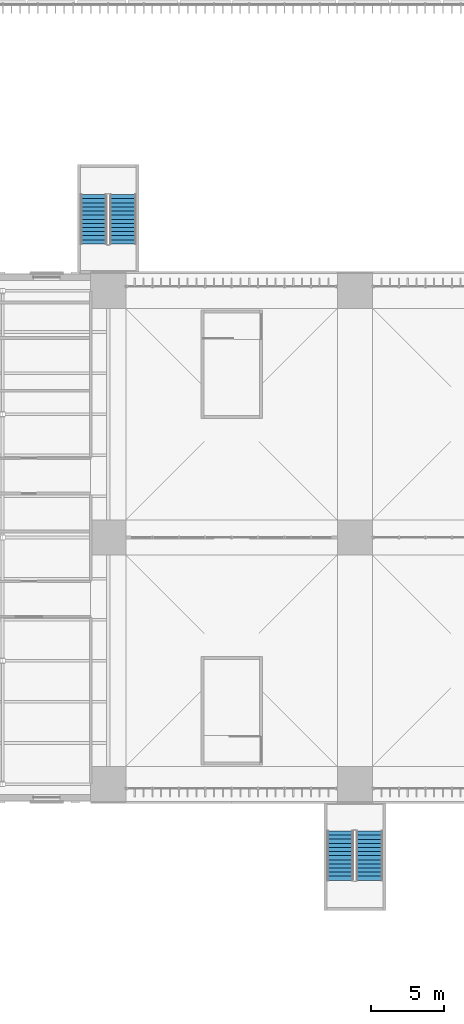
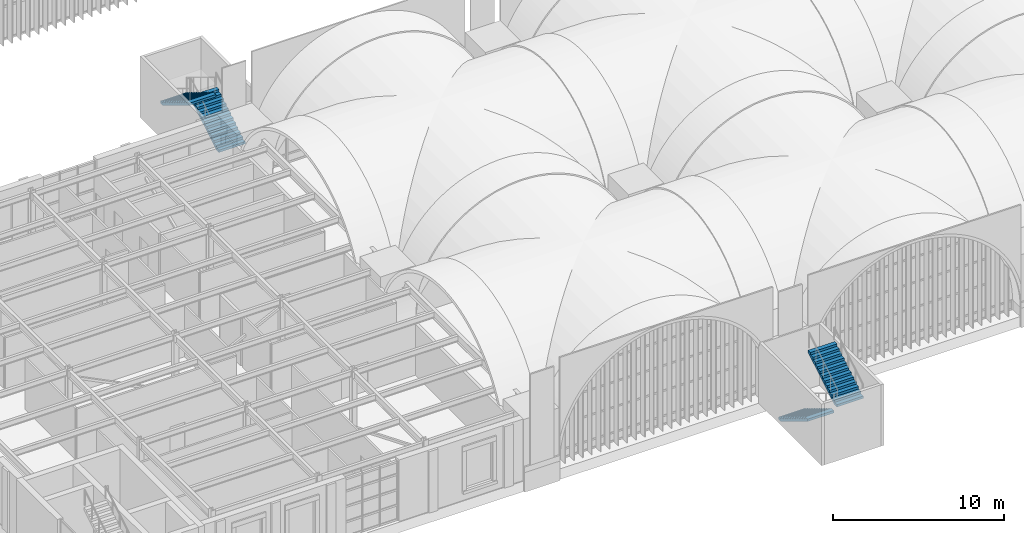
# One storey, part 107 of 169: 4 stair flights, 2 elements without a shape of their own.
"""IFC4 building model written with IfcOpenShell, lengths in metres."""

from ifc_helpers import new_model, si_unit, direction, frame, origin, place, context, subcontext, project, spatial, polygons, material, type_object, element, aggregate, save


model = new_model("IFC4")

# Units and contexts
model_context = context("Model", 3, precision=1e-05, world=origin(), true_north=direction((0.0, 1.0)))
body_context = subcontext(model_context, "Body", "Model", "MODEL_VIEW")
ifc_project = project(units=[si_unit("LENGTHUNIT", "METRE"), si_unit("AREAUNIT", "SQUARE_METRE"), si_unit("VOLUMEUNIT", "CUBIC_METRE"), si_unit("PLANEANGLEUNIT", "RADIAN"), si_unit("MASSUNIT", "GRAM", prefix="KILO")], contexts=[model_context])

# Site, building, storey
site_placement = place(None, origin())
site = spatial("IfcSite", under=ifc_project, at=site_placement, CompositionType="ELEMENT")
building_placement = place(site_placement, origin())
building = spatial("IfcBuilding", under=site, at=building_placement, Name="Verrick Yard Athletic Hall", CompositionType="ELEMENT")
storey_placement = place(building_placement, frame((0.0, 0.0, 4.39990234375)))
storey = spatial("IfcBuildingStorey", under=building, at=storey_placement, Name="L01", CompositionType="ELEMENT", Elevation=4.39990234375)

# Stair, stair flights
ifc_material = material(Name="Concrete 35 MPa", Category="concrete")
stair_type = type_object("IfcStairType", Name="Stair ST3 1800 wide 26 risers", PredefinedType="HALF_TURN_STAIR", material=ifc_material)
stair_1_placement = place(storey_placement, origin())
stair_1 = element("IfcStair", 1, at=stair_1_placement, inside=storey, type_object=stair_type, Name="North deck escape 1 stair L01", PredefinedType="HALF_TURN_STAIR")
stair_flight_type = type_object("IfcStairFlightType", Name="Stair flight SF3 1800 wide 13 risers", PredefinedType="STRAIGHT", material=ifc_material)
stair_flight_1_placement = place(storey_placement, frame((41.0, 56.0, 0.0), z_axis=(0.0, 0.0, 1.0), x_axis=(0.0, 1.0, 0.0)))
stair_flight_1 = element("IfcStairFlight", 2, at=stair_flight_1_placement, type_object=stair_flight_type, Name="ST3 flight 1", NumberOfRisers=13, NumberOfTreads=12, PredefinedType="STRAIGHT", RiserHeight=0.169230769, TreadLength=0.28, context=body_context, shape_type="Tessellation", body=[
    polygons([(0.28980123017674275, -0.89990234375, 0.0), (3.3600000000000003, -0.89990234375, 1.855614638571585), (3.3600000000000003, -0.89990234375, 2.030769228), (3.08, -0.89990234375, 2.030769228), (3.08, -0.89990234375, 1.8615384590000001), (2.8000000000000003, -0.89990234375, 1.8615384590000001), (2.8000000000000003, -0.89990234375, 1.69230769), (2.5200000000000005, -0.89990234375, 1.69230769), (2.5200000000000005, -0.89990234375, 1.523076921), (2.24, -0.89990234375, 1.523076921), (2.24, -0.89990234375, 1.353846152), (1.9600000000000002, -0.89990234375, 1.353846152), (1.9600000000000002, -0.89990234375, 1.1846153830000001), (1.6800000000000002, -0.89990234375, 1.1846153830000001), (1.6800000000000002, -0.89990234375, 1.015384614), (1.4000000000000001, -0.89990234375, 1.015384614), (1.4000000000000001, -0.89990234375, 0.846153845), (1.12, -0.89990234375, 0.846153845), (1.12, -0.89990234375, 0.676923076), (0.8400000000000001, -0.89990234375, 0.676923076), (0.8400000000000001, -0.89990234375, 0.507692307), (0.56, -0.89990234375, 0.507692307), (0.56, -0.89990234375, 0.338461538), (0.28, -0.89990234375, 0.338461538), (0.28, -0.89990234375, 0.169230769), (0.0, -0.89990234375, 0.169230769), (0.0, -0.89990234375, 0.0), (0.28980123017674275, -0.179931640625, 0.0), (3.3600000000000003, -0.179931640625, 1.855614638571585), (3.3600000000000003, -0.179931640625, 2.030769228), (3.08, -0.179931640625, 2.030769228), (3.08, -0.179931640625, 1.8615384590000001), (2.8000000000000003, -0.179931640625, 1.8615384590000001), (2.8000000000000003, -0.179931640625, 1.69230769), (2.5200000000000005, -0.179931640625, 1.69230769), (2.5200000000000005, -0.179931640625, 1.523076921), (2.24, -0.179931640625, 1.523076921), (2.24, -0.179931640625, 1.353846152), (1.9600000000000002, -0.179931640625, 1.353846152), (1.9600000000000002, -0.179931640625, 1.1846153830000001), (1.6800000000000002, -0.179931640625, 1.1846153830000001), (1.6800000000000002, -0.179931640625, 1.015384614), (1.4000000000000001, -0.179931640625, 1.015384614), (1.4000000000000001, -0.179931640625, 0.846153845), (1.12, -0.179931640625, 0.846153845), (1.12, -0.179931640625, 0.676923076), (0.8400000000000001, -0.179931640625, 0.676923076), (0.8400000000000001, -0.179931640625, 0.507692307), (0.56, -0.179931640625, 0.507692307), (0.56, -0.179931640625, 0.338461538), (0.28, -0.179931640625, 0.338461538), (0.28, -0.179931640625, 0.169230769), (0.0, -0.179931640625, 0.169230769), (0.0, -0.179931640625, 0.0), (0.28980123017674275, 0.179931640625, 0.0), (3.3600000000000003, 0.179931640625, 1.855614638571585), (3.3600000000000003, 0.179931640625, 2.030769228), (3.08, 0.179931640625, 2.030769228), (3.08, 0.179931640625, 1.8615384590000001), (2.8000000000000003, 0.179931640625, 1.8615384590000001), (2.8000000000000003, 0.179931640625, 1.69230769), (2.5200000000000005, 0.179931640625, 1.69230769), (2.5200000000000005, 0.179931640625, 1.523076921), (2.24, 0.179931640625, 1.523076921), (2.24, 0.179931640625, 1.353846152), (1.9600000000000002, 0.179931640625, 1.353846152), (1.9600000000000002, 0.179931640625, 1.1846153830000001), (1.6800000000000002, 0.179931640625, 1.1846153830000001), (1.6800000000000002, 0.179931640625, 1.015384614), (1.4000000000000001, 0.179931640625, 1.015384614), (1.4000000000000001, 0.179931640625, 0.846153845), (1.12, 0.179931640625, 0.846153845), (1.12, 0.179931640625, 0.676923076), (0.8400000000000001, 0.179931640625, 0.676923076), (0.8400000000000001, 0.179931640625, 0.507692307), (0.56, 0.179931640625, 0.507692307), (0.56, 0.179931640625, 0.338461538), (0.28, 0.179931640625, 0.338461538), (0.28, 0.179931640625, 0.169230769), (0.0, 0.179931640625, 0.169230769), (0.0, 0.179931640625, 0.0), (0.28980123017674275, 0.89990234375, 0.0), (3.3600000000000003, 0.89990234375, 1.855614638571585), (3.3600000000000003, 0.89990234375, 2.030769228), (3.08, 0.89990234375, 2.030769228), (3.08, 0.89990234375, 1.8615384590000001), (2.8000000000000003, 0.89990234375, 1.8615384590000001), (2.8000000000000003, 0.89990234375, 1.69230769), (2.5200000000000005, 0.89990234375, 1.69230769), (2.5200000000000005, 0.89990234375, 1.523076921), (2.24, 0.89990234375, 1.523076921), (2.24, 0.89990234375, 1.353846152), (1.9600000000000002, 0.89990234375, 1.353846152), (1.9600000000000002, 0.89990234375, 1.1846153830000001), (1.6800000000000002, 0.89990234375, 1.1846153830000001), (1.6800000000000002, 0.89990234375, 1.015384614), (1.4000000000000001, 0.89990234375, 1.015384614), (1.4000000000000001, 0.89990234375, 0.846153845), (1.12, 0.89990234375, 0.846153845), (1.12, 0.89990234375, 0.676923076), (0.8400000000000001, 0.89990234375, 0.676923076), (0.8400000000000001, 0.89990234375, 0.507692307), (0.56, 0.89990234375, 0.507692307), (0.56, 0.89990234375, 0.338461538), (0.28, 0.89990234375, 0.338461538), (0.28, 0.89990234375, 0.169230769), (0.0, 0.89990234375, 0.169230769), (0.0, 0.89990234375, 0.0)], [[[1, 2, 3, 4, 5, 6, 7, 8, 9, 10, 11, 12, 13, 14, 15, 16, 17, 18, 19, 20, 21, 22, 23, 24, 25, 26, 27]], [[108, 107, 106, 105, 104, 103, 102, 101, 100, 99, 98, 97, 96, 95, 94, 93, 92, 91, 90, 89, 88, 87, 86, 85, 84, 83, 82]], [[1, 28, 29, 2]], [[2, 29, 30, 3]], [[3, 30, 31, 4]], [[4, 31, 32, 5]], [[5, 32, 33, 6]], [[6, 33, 34, 7]], [[7, 34, 35, 8]], [[8, 35, 36, 9]], [[9, 36, 37, 10]], [[10, 37, 38, 11]], [[11, 38, 39, 12]], [[12, 39, 40, 13]], [[13, 40, 41, 14]], [[14, 41, 42, 15]], [[15, 42, 43, 16]], [[16, 43, 44, 17]], [[17, 44, 45, 18]], [[18, 45, 46, 19]], [[19, 46, 47, 20]], [[20, 47, 48, 21]], [[21, 48, 49, 22]], [[22, 49, 50, 23]], [[23, 50, 51, 24]], [[24, 51, 52, 25]], [[25, 52, 53, 26]], [[26, 53, 54, 27]], [[27, 54, 28, 1]], [[28, 55, 56, 29]], [[29, 56, 57, 30]], [[30, 57, 58, 31]], [[31, 58, 59, 32]], [[32, 59, 60, 33]], [[33, 60, 61, 34]], [[34, 61, 62, 35]], [[35, 62, 63, 36]], [[36, 63, 64, 37]], [[37, 64, 65, 38]], [[38, 65, 66, 39]], [[39, 66, 67, 40]], [[40, 67, 68, 41]], [[41, 68, 69, 42]], [[42, 69, 70, 43]], [[43, 70, 71, 44]], [[44, 71, 72, 45]], [[45, 72, 73, 46]], [[46, 73, 74, 47]], [[47, 74, 75, 48]], [[48, 75, 76, 49]], [[49, 76, 77, 50]], [[50, 77, 78, 51]], [[51, 78, 79, 52]], [[52, 79, 80, 53]], [[53, 80, 81, 54]], [[54, 81, 55, 28]], [[55, 82, 83, 56]], [[56, 83, 84, 57]], [[57, 84, 85, 58]], [[58, 85, 86, 59]], [[59, 86, 87, 60]], [[60, 87, 88, 61]], [[61, 88, 89, 62]], [[62, 89, 90, 63]], [[63, 90, 91, 64]], [[64, 91, 92, 65]], [[65, 92, 93, 66]], [[66, 93, 94, 67]], [[67, 94, 95, 68]], [[68, 95, 96, 69]], [[69, 96, 97, 70]], [[70, 97, 98, 71]], [[71, 98, 99, 72]], [[72, 99, 100, 73]], [[73, 100, 101, 74]], [[74, 101, 102, 75]], [[75, 102, 103, 76]], [[76, 103, 104, 77]], [[77, 104, 105, 78]], [[78, 105, 106, 79]], [[79, 106, 107, 80]], [[80, 107, 108, 81]], [[81, 108, 82, 55]]], closed=True),
])
stair_flight_2_placement = place(storey_placement, frame((39.0, 59.360107421875, 2.2001953125), z_axis=(0.0, 0.0, 1.0), x_axis=(0.0, -1.0, 0.0)))
stair_flight_2 = element("IfcStairFlight", 3, at=stair_flight_2_placement, type_object=stair_flight_type, Name="ST3 flight 2", NumberOfRisers=13, NumberOfTreads=12, PredefinedType="STRAIGHT", RiserHeight=0.169230769, TreadLength=0.28, context=body_context, shape_type="Tessellation", body=[
    polygons([(0.28980123017674275, -0.89990234375, 0.0), (3.3600000000000003, -0.89990234375, 1.855614638571585), (3.3600000000000003, -0.89990234375, 2.030769228), (3.08, -0.89990234375, 2.030769228), (3.08, -0.89990234375, 1.8615384590000001), (2.8000000000000003, -0.89990234375, 1.8615384590000001), (2.8000000000000003, -0.89990234375, 1.69230769), (2.5200000000000005, -0.89990234375, 1.69230769), (2.5200000000000005, -0.89990234375, 1.523076921), (2.24, -0.89990234375, 1.523076921), (2.24, -0.89990234375, 1.353846152), (1.9600000000000002, -0.89990234375, 1.353846152), (1.9600000000000002, -0.89990234375, 1.1846153830000001), (1.6800000000000002, -0.89990234375, 1.1846153830000001), (1.6800000000000002, -0.89990234375, 1.015384614), (1.4000000000000001, -0.89990234375, 1.015384614), (1.4000000000000001, -0.89990234375, 0.846153845), (1.12, -0.89990234375, 0.846153845), (1.12, -0.89990234375, 0.676923076), (0.8400000000000001, -0.89990234375, 0.676923076), (0.8400000000000001, -0.89990234375, 0.507692307), (0.56, -0.89990234375, 0.507692307), (0.56, -0.89990234375, 0.338461538), (0.28, -0.89990234375, 0.338461538), (0.28, -0.89990234375, 0.169230769), (0.0, -0.89990234375, 0.169230769), (0.0, -0.89990234375, 0.0), (0.28980123017674275, -0.179931640625, 0.0), (3.3600000000000003, -0.179931640625, 1.855614638571585), (3.3600000000000003, -0.179931640625, 2.030769228), (3.08, -0.179931640625, 2.030769228), (3.08, -0.179931640625, 1.8615384590000001), (2.8000000000000003, -0.179931640625, 1.8615384590000001), (2.8000000000000003, -0.179931640625, 1.69230769), (2.5200000000000005, -0.179931640625, 1.69230769), (2.5200000000000005, -0.179931640625, 1.523076921), (2.24, -0.179931640625, 1.523076921), (2.24, -0.179931640625, 1.353846152), (1.9600000000000002, -0.179931640625, 1.353846152), (1.9600000000000002, -0.179931640625, 1.1846153830000001), (1.6800000000000002, -0.179931640625, 1.1846153830000001), (1.6800000000000002, -0.179931640625, 1.015384614), (1.4000000000000001, -0.179931640625, 1.015384614), (1.4000000000000001, -0.179931640625, 0.846153845), (1.12, -0.179931640625, 0.846153845), (1.12, -0.179931640625, 0.676923076), (0.8400000000000001, -0.179931640625, 0.676923076), (0.8400000000000001, -0.179931640625, 0.507692307), (0.56, -0.179931640625, 0.507692307), (0.56, -0.179931640625, 0.338461538), (0.28, -0.179931640625, 0.338461538), (0.28, -0.179931640625, 0.169230769), (0.0, -0.179931640625, 0.169230769), (0.0, -0.179931640625, 0.0), (0.28980123017674275, 0.179931640625, 0.0), (3.3600000000000003, 0.179931640625, 1.855614638571585), (3.3600000000000003, 0.179931640625, 2.030769228), (3.08, 0.179931640625, 2.030769228), (3.08, 0.179931640625, 1.8615384590000001), (2.8000000000000003, 0.179931640625, 1.8615384590000001), (2.8000000000000003, 0.179931640625, 1.69230769), (2.5200000000000005, 0.179931640625, 1.69230769), (2.5200000000000005, 0.179931640625, 1.523076921), (2.24, 0.179931640625, 1.523076921), (2.24, 0.179931640625, 1.353846152), (1.9600000000000002, 0.179931640625, 1.353846152), (1.9600000000000002, 0.179931640625, 1.1846153830000001), (1.6800000000000002, 0.179931640625, 1.1846153830000001), (1.6800000000000002, 0.179931640625, 1.015384614), (1.4000000000000001, 0.179931640625, 1.015384614), (1.4000000000000001, 0.179931640625, 0.846153845), (1.12, 0.179931640625, 0.846153845), (1.12, 0.179931640625, 0.676923076), (0.8400000000000001, 0.179931640625, 0.676923076), (0.8400000000000001, 0.179931640625, 0.507692307), (0.56, 0.179931640625, 0.507692307), (0.56, 0.179931640625, 0.338461538), (0.28, 0.179931640625, 0.338461538), (0.28, 0.179931640625, 0.169230769), (0.0, 0.179931640625, 0.169230769), (0.0, 0.179931640625, 0.0), (0.28980123017674275, 0.89990234375, 0.0), (3.3600000000000003, 0.89990234375, 1.855614638571585), (3.3600000000000003, 0.89990234375, 2.030769228), (3.08, 0.89990234375, 2.030769228), (3.08, 0.89990234375, 1.8615384590000001), (2.8000000000000003, 0.89990234375, 1.8615384590000001), (2.8000000000000003, 0.89990234375, 1.69230769), (2.5200000000000005, 0.89990234375, 1.69230769), (2.5200000000000005, 0.89990234375, 1.523076921), (2.24, 0.89990234375, 1.523076921), (2.24, 0.89990234375, 1.353846152), (1.9600000000000002, 0.89990234375, 1.353846152), (1.9600000000000002, 0.89990234375, 1.1846153830000001), (1.6800000000000002, 0.89990234375, 1.1846153830000001), (1.6800000000000002, 0.89990234375, 1.015384614), (1.4000000000000001, 0.89990234375, 1.015384614), (1.4000000000000001, 0.89990234375, 0.846153845), (1.12, 0.89990234375, 0.846153845), (1.12, 0.89990234375, 0.676923076), (0.8400000000000001, 0.89990234375, 0.676923076), (0.8400000000000001, 0.89990234375, 0.507692307), (0.56, 0.89990234375, 0.507692307), (0.56, 0.89990234375, 0.338461538), (0.28, 0.89990234375, 0.338461538), (0.28, 0.89990234375, 0.169230769), (0.0, 0.89990234375, 0.169230769), (0.0, 0.89990234375, 0.0)], [[[1, 2, 3, 4, 5, 6, 7, 8, 9, 10, 11, 12, 13, 14, 15, 16, 17, 18, 19, 20, 21, 22, 23, 24, 25, 26, 27]], [[108, 107, 106, 105, 104, 103, 102, 101, 100, 99, 98, 97, 96, 95, 94, 93, 92, 91, 90, 89, 88, 87, 86, 85, 84, 83, 82]], [[1, 28, 29, 2]], [[2, 29, 30, 3]], [[3, 30, 31, 4]], [[4, 31, 32, 5]], [[5, 32, 33, 6]], [[6, 33, 34, 7]], [[7, 34, 35, 8]], [[8, 35, 36, 9]], [[9, 36, 37, 10]], [[10, 37, 38, 11]], [[11, 38, 39, 12]], [[12, 39, 40, 13]], [[13, 40, 41, 14]], [[14, 41, 42, 15]], [[15, 42, 43, 16]], [[16, 43, 44, 17]], [[17, 44, 45, 18]], [[18, 45, 46, 19]], [[19, 46, 47, 20]], [[20, 47, 48, 21]], [[21, 48, 49, 22]], [[22, 49, 50, 23]], [[23, 50, 51, 24]], [[24, 51, 52, 25]], [[25, 52, 53, 26]], [[26, 53, 54, 27]], [[27, 54, 28, 1]], [[28, 55, 56, 29]], [[29, 56, 57, 30]], [[30, 57, 58, 31]], [[31, 58, 59, 32]], [[32, 59, 60, 33]], [[33, 60, 61, 34]], [[34, 61, 62, 35]], [[35, 62, 63, 36]], [[36, 63, 64, 37]], [[37, 64, 65, 38]], [[38, 65, 66, 39]], [[39, 66, 67, 40]], [[40, 67, 68, 41]], [[41, 68, 69, 42]], [[42, 69, 70, 43]], [[43, 70, 71, 44]], [[44, 71, 72, 45]], [[45, 72, 73, 46]], [[46, 73, 74, 47]], [[47, 74, 75, 48]], [[48, 75, 76, 49]], [[49, 76, 77, 50]], [[50, 77, 78, 51]], [[51, 78, 79, 52]], [[52, 79, 80, 53]], [[53, 80, 81, 54]], [[54, 81, 55, 28]], [[55, 82, 83, 56]], [[56, 83, 84, 57]], [[57, 84, 85, 58]], [[58, 85, 86, 59]], [[59, 86, 87, 60]], [[60, 87, 88, 61]], [[61, 88, 89, 62]], [[62, 89, 90, 63]], [[63, 90, 91, 64]], [[64, 91, 92, 65]], [[65, 92, 93, 66]], [[66, 93, 94, 67]], [[67, 94, 95, 68]], [[68, 95, 96, 69]], [[69, 96, 97, 70]], [[70, 97, 98, 71]], [[71, 98, 99, 72]], [[72, 99, 100, 73]], [[73, 100, 101, 74]], [[74, 101, 102, 75]], [[75, 102, 103, 76]], [[76, 103, 104, 77]], [[77, 104, 105, 78]], [[78, 105, 106, 79]], [[79, 106, 107, 80]], [[80, 107, 108, 81]], [[81, 108, 82, 55]]], closed=True),
])
aggregate(stair_1, [stair_flight_1, stair_flight_2])

stair_2_placement = place(storey_placement, origin())
stair_2 = element("IfcStair", 4, at=stair_2_placement, inside=storey, type_object=stair_type, Name="South deck escape 1 stair L01", PredefinedType="HALF_TURN_STAIR")
stair_flight_3_placement = place(storey_placement, frame((55.800048828125, 16.0, 0.0), z_axis=(0.0, 0.0, 1.0), x_axis=(0.0, -1.0, 0.0)))
stair_flight_3 = element("IfcStairFlight", 5, at=stair_flight_3_placement, type_object=stair_flight_type, Name="ST3 flight 1", NumberOfRisers=13, NumberOfTreads=12, PredefinedType="STRAIGHT", RiserHeight=0.169230769, TreadLength=0.28, context=body_context, shape_type="Tessellation", body=[
    polygons([(0.28980123017674275, -0.89990234375, 0.0), (3.3600000000000003, -0.89990234375, 1.855614638571585), (3.3600000000000003, -0.89990234375, 2.030769228), (3.08, -0.89990234375, 2.030769228), (3.08, -0.89990234375, 1.8615384590000001), (2.8000000000000003, -0.89990234375, 1.8615384590000001), (2.8000000000000003, -0.89990234375, 1.69230769), (2.5200000000000005, -0.89990234375, 1.69230769), (2.5200000000000005, -0.89990234375, 1.523076921), (2.24, -0.89990234375, 1.523076921), (2.24, -0.89990234375, 1.353846152), (1.9600000000000002, -0.89990234375, 1.353846152), (1.9600000000000002, -0.89990234375, 1.1846153830000001), (1.6800000000000002, -0.89990234375, 1.1846153830000001), (1.6800000000000002, -0.89990234375, 1.015384614), (1.4000000000000001, -0.89990234375, 1.015384614), (1.4000000000000001, -0.89990234375, 0.846153845), (1.12, -0.89990234375, 0.846153845), (1.12, -0.89990234375, 0.676923076), (0.8400000000000001, -0.89990234375, 0.676923076), (0.8400000000000001, -0.89990234375, 0.507692307), (0.56, -0.89990234375, 0.507692307), (0.56, -0.89990234375, 0.338461538), (0.28, -0.89990234375, 0.338461538), (0.28, -0.89990234375, 0.169230769), (0.0, -0.89990234375, 0.169230769), (0.0, -0.89990234375, 0.0), (0.28980123017674275, -0.179931640625, 0.0), (3.3600000000000003, -0.179931640625, 1.855614638571585), (3.3600000000000003, -0.179931640625, 2.030769228), (3.08, -0.179931640625, 2.030769228), (3.08, -0.179931640625, 1.8615384590000001), (2.8000000000000003, -0.179931640625, 1.8615384590000001), (2.8000000000000003, -0.179931640625, 1.69230769), (2.5200000000000005, -0.179931640625, 1.69230769), (2.5200000000000005, -0.179931640625, 1.523076921), (2.24, -0.179931640625, 1.523076921), (2.24, -0.179931640625, 1.353846152), (1.9600000000000002, -0.179931640625, 1.353846152), (1.9600000000000002, -0.179931640625, 1.1846153830000001), (1.6800000000000002, -0.179931640625, 1.1846153830000001), (1.6800000000000002, -0.179931640625, 1.015384614), (1.4000000000000001, -0.179931640625, 1.015384614), (1.4000000000000001, -0.179931640625, 0.846153845), (1.12, -0.179931640625, 0.846153845), (1.12, -0.179931640625, 0.676923076), (0.8400000000000001, -0.179931640625, 0.676923076), (0.8400000000000001, -0.179931640625, 0.507692307), (0.56, -0.179931640625, 0.507692307), (0.56, -0.179931640625, 0.338461538), (0.28, -0.179931640625, 0.338461538), (0.28, -0.179931640625, 0.169230769), (0.0, -0.179931640625, 0.169230769), (0.0, -0.179931640625, 0.0), (0.28980123017674275, 0.179931640625, 0.0), (3.3600000000000003, 0.179931640625, 1.855614638571585), (3.3600000000000003, 0.179931640625, 2.030769228), (3.08, 0.179931640625, 2.030769228), (3.08, 0.179931640625, 1.8615384590000001), (2.8000000000000003, 0.179931640625, 1.8615384590000001), (2.8000000000000003, 0.179931640625, 1.69230769), (2.5200000000000005, 0.179931640625, 1.69230769), (2.5200000000000005, 0.179931640625, 1.523076921), (2.24, 0.179931640625, 1.523076921), (2.24, 0.179931640625, 1.353846152), (1.9600000000000002, 0.179931640625, 1.353846152), (1.9600000000000002, 0.179931640625, 1.1846153830000001), (1.6800000000000002, 0.179931640625, 1.1846153830000001), (1.6800000000000002, 0.179931640625, 1.015384614), (1.4000000000000001, 0.179931640625, 1.015384614), (1.4000000000000001, 0.179931640625, 0.846153845), (1.12, 0.179931640625, 0.846153845), (1.12, 0.179931640625, 0.676923076), (0.8400000000000001, 0.179931640625, 0.676923076), (0.8400000000000001, 0.179931640625, 0.507692307), (0.56, 0.179931640625, 0.507692307), (0.56, 0.179931640625, 0.338461538), (0.28, 0.179931640625, 0.338461538), (0.28, 0.179931640625, 0.169230769), (0.0, 0.179931640625, 0.169230769), (0.0, 0.179931640625, 0.0), (0.28980123017674275, 0.89990234375, 0.0), (3.3600000000000003, 0.89990234375, 1.855614638571585), (3.3600000000000003, 0.89990234375, 2.030769228), (3.08, 0.89990234375, 2.030769228), (3.08, 0.89990234375, 1.8615384590000001), (2.8000000000000003, 0.89990234375, 1.8615384590000001), (2.8000000000000003, 0.89990234375, 1.69230769), (2.5200000000000005, 0.89990234375, 1.69230769), (2.5200000000000005, 0.89990234375, 1.523076921), (2.24, 0.89990234375, 1.523076921), (2.24, 0.89990234375, 1.353846152), (1.9600000000000002, 0.89990234375, 1.353846152), (1.9600000000000002, 0.89990234375, 1.1846153830000001), (1.6800000000000002, 0.89990234375, 1.1846153830000001), (1.6800000000000002, 0.89990234375, 1.015384614), (1.4000000000000001, 0.89990234375, 1.015384614), (1.4000000000000001, 0.89990234375, 0.846153845), (1.12, 0.89990234375, 0.846153845), (1.12, 0.89990234375, 0.676923076), (0.8400000000000001, 0.89990234375, 0.676923076), (0.8400000000000001, 0.89990234375, 0.507692307), (0.56, 0.89990234375, 0.507692307), (0.56, 0.89990234375, 0.338461538), (0.28, 0.89990234375, 0.338461538), (0.28, 0.89990234375, 0.169230769), (0.0, 0.89990234375, 0.169230769), (0.0, 0.89990234375, 0.0)], [[[1, 2, 3, 4, 5, 6, 7, 8, 9, 10, 11, 12, 13, 14, 15, 16, 17, 18, 19, 20, 21, 22, 23, 24, 25, 26, 27]], [[108, 107, 106, 105, 104, 103, 102, 101, 100, 99, 98, 97, 96, 95, 94, 93, 92, 91, 90, 89, 88, 87, 86, 85, 84, 83, 82]], [[1, 28, 29, 2]], [[2, 29, 30, 3]], [[3, 30, 31, 4]], [[4, 31, 32, 5]], [[5, 32, 33, 6]], [[6, 33, 34, 7]], [[7, 34, 35, 8]], [[8, 35, 36, 9]], [[9, 36, 37, 10]], [[10, 37, 38, 11]], [[11, 38, 39, 12]], [[12, 39, 40, 13]], [[13, 40, 41, 14]], [[14, 41, 42, 15]], [[15, 42, 43, 16]], [[16, 43, 44, 17]], [[17, 44, 45, 18]], [[18, 45, 46, 19]], [[19, 46, 47, 20]], [[20, 47, 48, 21]], [[21, 48, 49, 22]], [[22, 49, 50, 23]], [[23, 50, 51, 24]], [[24, 51, 52, 25]], [[25, 52, 53, 26]], [[26, 53, 54, 27]], [[27, 54, 28, 1]], [[28, 55, 56, 29]], [[29, 56, 57, 30]], [[30, 57, 58, 31]], [[31, 58, 59, 32]], [[32, 59, 60, 33]], [[33, 60, 61, 34]], [[34, 61, 62, 35]], [[35, 62, 63, 36]], [[36, 63, 64, 37]], [[37, 64, 65, 38]], [[38, 65, 66, 39]], [[39, 66, 67, 40]], [[40, 67, 68, 41]], [[41, 68, 69, 42]], [[42, 69, 70, 43]], [[43, 70, 71, 44]], [[44, 71, 72, 45]], [[45, 72, 73, 46]], [[46, 73, 74, 47]], [[47, 74, 75, 48]], [[48, 75, 76, 49]], [[49, 76, 77, 50]], [[50, 77, 78, 51]], [[51, 78, 79, 52]], [[52, 79, 80, 53]], [[53, 80, 81, 54]], [[54, 81, 55, 28]], [[55, 82, 83, 56]], [[56, 83, 84, 57]], [[57, 84, 85, 58]], [[58, 85, 86, 59]], [[59, 86, 87, 60]], [[60, 87, 88, 61]], [[61, 88, 89, 62]], [[62, 89, 90, 63]], [[63, 90, 91, 64]], [[64, 91, 92, 65]], [[65, 92, 93, 66]], [[66, 93, 94, 67]], [[67, 94, 95, 68]], [[68, 95, 96, 69]], [[69, 96, 97, 70]], [[70, 97, 98, 71]], [[71, 98, 99, 72]], [[72, 99, 100, 73]], [[73, 100, 101, 74]], [[74, 101, 102, 75]], [[75, 102, 103, 76]], [[76, 103, 104, 77]], [[77, 104, 105, 78]], [[78, 105, 106, 79]], [[79, 106, 107, 80]], [[80, 107, 108, 81]], [[81, 108, 82, 55]]], closed=True),
])
stair_flight_4_placement = place(storey_placement, frame((57.800048828125, 12.639892578125, 2.2001953125), z_axis=(0.0, 0.0, 1.0), x_axis=(0.0, 1.0, 0.0)))
stair_flight_4 = element("IfcStairFlight", 6, at=stair_flight_4_placement, type_object=stair_flight_type, Name="ST3 flight 2", NumberOfRisers=13, NumberOfTreads=12, PredefinedType="STRAIGHT", RiserHeight=0.169230769, TreadLength=0.28, context=body_context, shape_type="Tessellation", body=[
    polygons([(0.28980123017674275, -0.89990234375, 0.0), (3.3600000000000003, -0.89990234375, 1.855614638571585), (3.3600000000000003, -0.89990234375, 2.030769228), (3.08, -0.89990234375, 2.030769228), (3.08, -0.89990234375, 1.8615384590000001), (2.8000000000000003, -0.89990234375, 1.8615384590000001), (2.8000000000000003, -0.89990234375, 1.69230769), (2.5200000000000005, -0.89990234375, 1.69230769), (2.5200000000000005, -0.89990234375, 1.523076921), (2.24, -0.89990234375, 1.523076921), (2.24, -0.89990234375, 1.353846152), (1.9600000000000002, -0.89990234375, 1.353846152), (1.9600000000000002, -0.89990234375, 1.1846153830000001), (1.6800000000000002, -0.89990234375, 1.1846153830000001), (1.6800000000000002, -0.89990234375, 1.015384614), (1.4000000000000001, -0.89990234375, 1.015384614), (1.4000000000000001, -0.89990234375, 0.846153845), (1.12, -0.89990234375, 0.846153845), (1.12, -0.89990234375, 0.676923076), (0.8400000000000001, -0.89990234375, 0.676923076), (0.8400000000000001, -0.89990234375, 0.507692307), (0.56, -0.89990234375, 0.507692307), (0.56, -0.89990234375, 0.338461538), (0.28, -0.89990234375, 0.338461538), (0.28, -0.89990234375, 0.169230769), (0.0, -0.89990234375, 0.169230769), (0.0, -0.89990234375, 0.0), (0.28980123017674275, -0.179931640625, 0.0), (3.3600000000000003, -0.179931640625, 1.855614638571585), (3.3600000000000003, -0.179931640625, 2.030769228), (3.08, -0.179931640625, 2.030769228), (3.08, -0.179931640625, 1.8615384590000001), (2.8000000000000003, -0.179931640625, 1.8615384590000001), (2.8000000000000003, -0.179931640625, 1.69230769), (2.5200000000000005, -0.179931640625, 1.69230769), (2.5200000000000005, -0.179931640625, 1.523076921), (2.24, -0.179931640625, 1.523076921), (2.24, -0.179931640625, 1.353846152), (1.9600000000000002, -0.179931640625, 1.353846152), (1.9600000000000002, -0.179931640625, 1.1846153830000001), (1.6800000000000002, -0.179931640625, 1.1846153830000001), (1.6800000000000002, -0.179931640625, 1.015384614), (1.4000000000000001, -0.179931640625, 1.015384614), (1.4000000000000001, -0.179931640625, 0.846153845), (1.12, -0.179931640625, 0.846153845), (1.12, -0.179931640625, 0.676923076), (0.8400000000000001, -0.179931640625, 0.676923076), (0.8400000000000001, -0.179931640625, 0.507692307), (0.56, -0.179931640625, 0.507692307), (0.56, -0.179931640625, 0.338461538), (0.28, -0.179931640625, 0.338461538), (0.28, -0.179931640625, 0.169230769), (0.0, -0.179931640625, 0.169230769), (0.0, -0.179931640625, 0.0), (0.28980123017674275, 0.179931640625, 0.0), (3.3600000000000003, 0.179931640625, 1.855614638571585), (3.3600000000000003, 0.179931640625, 2.030769228), (3.08, 0.179931640625, 2.030769228), (3.08, 0.179931640625, 1.8615384590000001), (2.8000000000000003, 0.179931640625, 1.8615384590000001), (2.8000000000000003, 0.179931640625, 1.69230769), (2.5200000000000005, 0.179931640625, 1.69230769), (2.5200000000000005, 0.179931640625, 1.523076921), (2.24, 0.179931640625, 1.523076921), (2.24, 0.179931640625, 1.353846152), (1.9600000000000002, 0.179931640625, 1.353846152), (1.9600000000000002, 0.179931640625, 1.1846153830000001), (1.6800000000000002, 0.179931640625, 1.1846153830000001), (1.6800000000000002, 0.179931640625, 1.015384614), (1.4000000000000001, 0.179931640625, 1.015384614), (1.4000000000000001, 0.179931640625, 0.846153845), (1.12, 0.179931640625, 0.846153845), (1.12, 0.179931640625, 0.676923076), (0.8400000000000001, 0.179931640625, 0.676923076), (0.8400000000000001, 0.179931640625, 0.507692307), (0.56, 0.179931640625, 0.507692307), (0.56, 0.179931640625, 0.338461538), (0.28, 0.179931640625, 0.338461538), (0.28, 0.179931640625, 0.169230769), (0.0, 0.179931640625, 0.169230769), (0.0, 0.179931640625, 0.0), (0.28980123017674275, 0.89990234375, 0.0), (3.3600000000000003, 0.89990234375, 1.855614638571585), (3.3600000000000003, 0.89990234375, 2.030769228), (3.08, 0.89990234375, 2.030769228), (3.08, 0.89990234375, 1.8615384590000001), (2.8000000000000003, 0.89990234375, 1.8615384590000001), (2.8000000000000003, 0.89990234375, 1.69230769), (2.5200000000000005, 0.89990234375, 1.69230769), (2.5200000000000005, 0.89990234375, 1.523076921), (2.24, 0.89990234375, 1.523076921), (2.24, 0.89990234375, 1.353846152), (1.9600000000000002, 0.89990234375, 1.353846152), (1.9600000000000002, 0.89990234375, 1.1846153830000001), (1.6800000000000002, 0.89990234375, 1.1846153830000001), (1.6800000000000002, 0.89990234375, 1.015384614), (1.4000000000000001, 0.89990234375, 1.015384614), (1.4000000000000001, 0.89990234375, 0.846153845), (1.12, 0.89990234375, 0.846153845), (1.12, 0.89990234375, 0.676923076), (0.8400000000000001, 0.89990234375, 0.676923076), (0.8400000000000001, 0.89990234375, 0.507692307), (0.56, 0.89990234375, 0.507692307), (0.56, 0.89990234375, 0.338461538), (0.28, 0.89990234375, 0.338461538), (0.28, 0.89990234375, 0.169230769), (0.0, 0.89990234375, 0.169230769), (0.0, 0.89990234375, 0.0)], [[[1, 2, 3, 4, 5, 6, 7, 8, 9, 10, 11, 12, 13, 14, 15, 16, 17, 18, 19, 20, 21, 22, 23, 24, 25, 26, 27]], [[108, 107, 106, 105, 104, 103, 102, 101, 100, 99, 98, 97, 96, 95, 94, 93, 92, 91, 90, 89, 88, 87, 86, 85, 84, 83, 82]], [[1, 28, 29, 2]], [[2, 29, 30, 3]], [[3, 30, 31, 4]], [[4, 31, 32, 5]], [[5, 32, 33, 6]], [[6, 33, 34, 7]], [[7, 34, 35, 8]], [[8, 35, 36, 9]], [[9, 36, 37, 10]], [[10, 37, 38, 11]], [[11, 38, 39, 12]], [[12, 39, 40, 13]], [[13, 40, 41, 14]], [[14, 41, 42, 15]], [[15, 42, 43, 16]], [[16, 43, 44, 17]], [[17, 44, 45, 18]], [[18, 45, 46, 19]], [[19, 46, 47, 20]], [[20, 47, 48, 21]], [[21, 48, 49, 22]], [[22, 49, 50, 23]], [[23, 50, 51, 24]], [[24, 51, 52, 25]], [[25, 52, 53, 26]], [[26, 53, 54, 27]], [[27, 54, 28, 1]], [[28, 55, 56, 29]], [[29, 56, 57, 30]], [[30, 57, 58, 31]], [[31, 58, 59, 32]], [[32, 59, 60, 33]], [[33, 60, 61, 34]], [[34, 61, 62, 35]], [[35, 62, 63, 36]], [[36, 63, 64, 37]], [[37, 64, 65, 38]], [[38, 65, 66, 39]], [[39, 66, 67, 40]], [[40, 67, 68, 41]], [[41, 68, 69, 42]], [[42, 69, 70, 43]], [[43, 70, 71, 44]], [[44, 71, 72, 45]], [[45, 72, 73, 46]], [[46, 73, 74, 47]], [[47, 74, 75, 48]], [[48, 75, 76, 49]], [[49, 76, 77, 50]], [[50, 77, 78, 51]], [[51, 78, 79, 52]], [[52, 79, 80, 53]], [[53, 80, 81, 54]], [[54, 81, 55, 28]], [[55, 82, 83, 56]], [[56, 83, 84, 57]], [[57, 84, 85, 58]], [[58, 85, 86, 59]], [[59, 86, 87, 60]], [[60, 87, 88, 61]], [[61, 88, 89, 62]], [[62, 89, 90, 63]], [[63, 90, 91, 64]], [[64, 91, 92, 65]], [[65, 92, 93, 66]], [[66, 93, 94, 67]], [[67, 94, 95, 68]], [[68, 95, 96, 69]], [[69, 96, 97, 70]], [[70, 97, 98, 71]], [[71, 98, 99, 72]], [[72, 99, 100, 73]], [[73, 100, 101, 74]], [[74, 101, 102, 75]], [[75, 102, 103, 76]], [[76, 103, 104, 77]], [[77, 104, 105, 78]], [[78, 105, 106, 79]], [[79, 106, 107, 80]], [[80, 107, 108, 81]], [[81, 108, 82, 55]]], closed=True),
])
aggregate(stair_2, [stair_flight_3, stair_flight_4])

save(model, "model.ifc")
